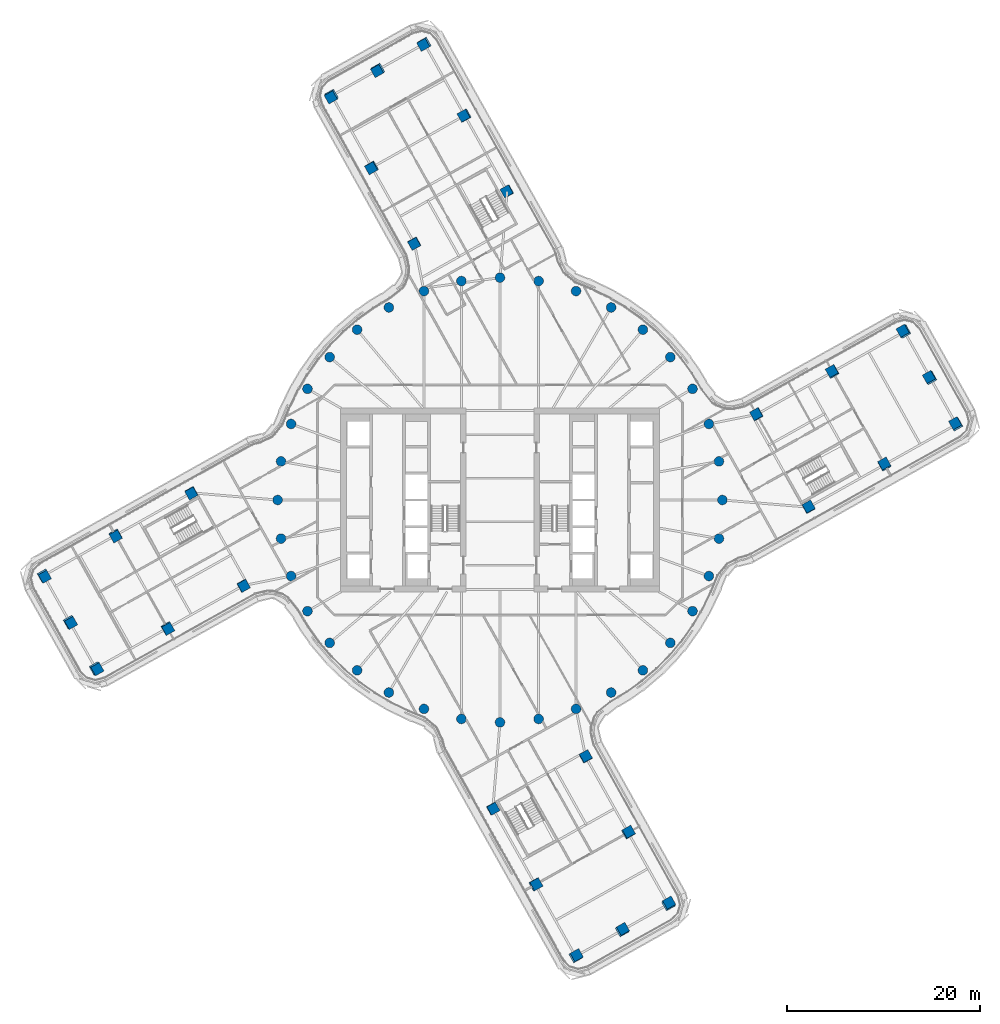
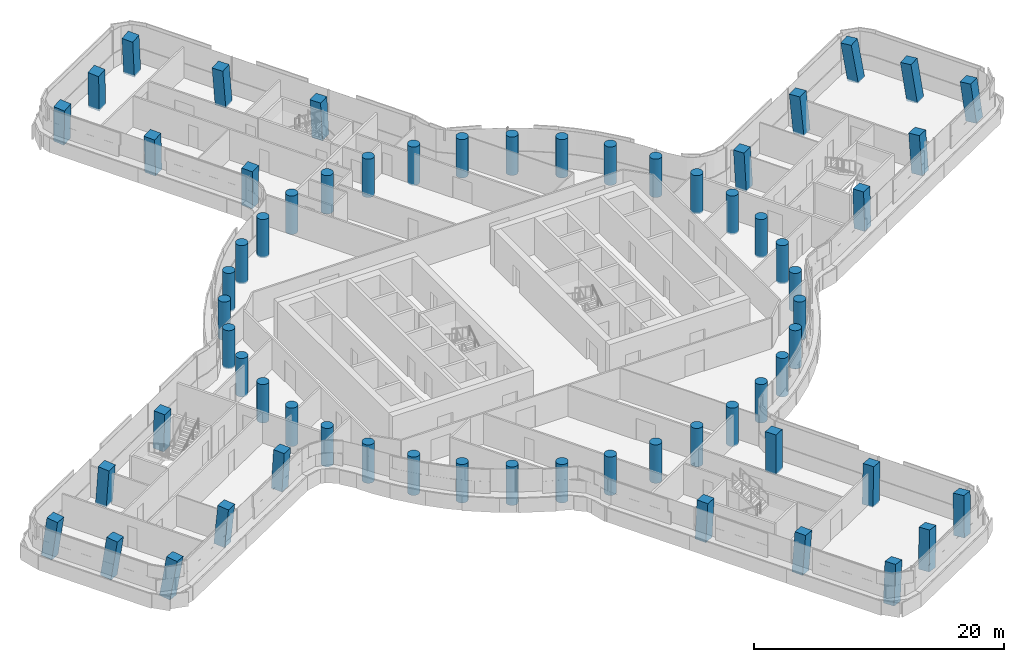
# One storey, part 1 of 34: 64 columns.
"""IFC4 building model written with IfcOpenShell, lengths in metres."""

from ifc_helpers import new_model, si_unit, direction, frame, origin, origin_2d, place, context, subcontext, project, spatial, rectangle, circle, extrude, material, material_profile, profile_set, type_object, element, save


model = new_model("IFC4")

# Units and contexts
model_context = context("Model", 3, precision=1e-05, world=origin(), true_north=direction((0.0, 1.0)))
body_context = subcontext(model_context, "Body", "Model", "MODEL_VIEW")
ifc_project = project(units=[si_unit("LENGTHUNIT", "METRE"), si_unit("AREAUNIT", "SQUARE_METRE"), si_unit("VOLUMEUNIT", "CUBIC_METRE"), si_unit("PLANEANGLEUNIT", "RADIAN"), si_unit("MASSUNIT", "GRAM", prefix="KILO")], contexts=[model_context])

# Site, building, storey
site_placement = place(None, origin())
site = spatial("IfcSite", under=ifc_project, at=site_placement, CompositionType="ELEMENT")
building_placement = place(site_placement, origin())
building = spatial("IfcBuilding", under=site, at=building_placement, Name="Tamarind Cross Interchange Tower", CompositionType="ELEMENT")
storey_placement = place(building_placement, frame((0.0, 0.0, 140.5)))
storey = spatial("IfcBuildingStorey", under=building, at=storey_placement, Name="L34", CompositionType="ELEMENT", Elevation=140.5)

# Columns
ifc_material = material(Name="Concrete C60", Category="concrete")
ifc_material_profile_1 = material_profile(ifc_material, rectangle(XDim=1.0, YDim=1.0, at=origin_2d()), Name="RC 1000x1000")
ifc_profile_set_1 = profile_set([ifc_material_profile_1], Name="Concrete C60")
column_type_1 = type_object("IfcColumnType", Name="Column RC 1000x1000 Concrete C60", PredefinedType="COLUMN", material=ifc_profile_set_1)
for number, where, z_axis, x_axis, name in (
    (1, (34.40576171875, 13.2529296875, -0.138427734375), (-0.064776890189, 0.059519447197, 0.996123180085), (0.48610938601, -0.869891191728, 0.083588153388), "Column L34-036"),
    (2, (39.78125, 3.656005859375, -0.138427734375), (-0.018498515422, 0.085936962871, 0.996128828686), (-0.872633414353, -0.487690222801, 0.025868334652), "Column L34-037"),
):
    element("IfcColumn", number, at=place(storey_placement, frame(where, z_axis=z_axis, x_axis=x_axis)), inside=storey, type_object=column_type_1, Name=name, PredefinedType="COLUMN", context=body_context, shape_type="SweptSolid", body=[
        extrude(rectangle(XDim=1.0, YDim=1.0, at=origin_2d()), origin(), (0.0, 0.0, 1.0), 3.761474609375),
    ])
for number, where, z_axis, x_axis, name in (
    (3, (26.553466796875, 8.854736328125, -0.138671875), (-0.043209514738, 0.02173490651, 0.998829580897), (0.487666364721, -0.872109852448, 0.040073956407), "Column L34-038"),
    (4, (31.92919921875, -0.742431640625, -0.138671875), (0.003188650486, 0.048285278781, 0.99882849597), (-0.872625550605, -0.487677909897, 0.026361043789), "Column L34-039"),
):
    element("IfcColumn", number, at=place(storey_placement, frame(where, z_axis=z_axis, x_axis=x_axis)), inside=storey, type_object=column_type_1, Name=name, PredefinedType="COLUMN", context=body_context, shape_type="SweptSolid", body=[
        extrude(rectangle(XDim=1.0, YDim=1.0, at=origin_2d()), origin(), (0.0, 0.0, 1.0), 3.751708984375),
    ])
column_1_placement = place(storey_placement, frame((47.20654296875, 7.815673828125, -0.13525390625), z_axis=(-0.088869481868, 0.091909413198, 0.991793766344), x_axis=(0.483034620601, -0.86683202884, 0.12361144396)))
element("IfcColumn", 5, at=column_1_placement, inside=storey, type_object=column_type_1, Name="Column L34-040", PredefinedType="COLUMN", context=body_context, shape_type="SweptSolid", body=[
    extrude(rectangle(XDim=1.0, YDim=1.0, at=origin_2d()), origin(), (0.0, 0.0, 1.0), 3.774658203125),
])
column_2_placement = place(storey_placement, frame((44.518798828125, 12.614013671875, -0.135009765625), z_axis=(-0.111840443728, 0.078695355552, 0.990605247392), x_axis=(0.481716376439, -0.867608111363, 0.123310574436)))
element("IfcColumn", 6, at=column_2_placement, inside=storey, type_object=column_type_1, Name="Column L34-041", PredefinedType="COLUMN", context=body_context, shape_type="SweptSolid", body=[
    extrude(rectangle(XDim=1.0, YDim=1.0, at=origin_2d()), origin(), (0.0, 0.0, 1.0), 3.778564453125),
])
column_3_placement = place(storey_placement, frame((41.830810546875, 17.41259765625, -0.135009765625), z_axis=(-0.134524714665, 0.065392167148, 0.988750203853), x_axis=(0.480274160425, -0.868482195433, 0.122781949179)))
element("IfcColumn", 7, at=column_3_placement, inside=storey, type_object=column_type_1, Name="Column L34-042", PredefinedType="COLUMN", context=body_context, shape_type="SweptSolid", body=[
    extrude(rectangle(XDim=1.0, YDim=1.0, at=origin_2d()), origin(), (0.0, 0.0, 1.0), 3.78564453125),
])
for number, where, z_axis, x_axis, name in (
    (8, (-13.2529296875, 34.40576171875, -0.138427734375), (-0.059519447197, -0.064776890189, 0.996123180085), (0.869891191728, 0.48610938601, 0.083588153388), "Column L34-043"),
    (9, (-3.656005859375, 39.78125, -0.138427734375), (-0.085936962871, -0.018498515422, 0.996128828686), (0.487690222801, -0.872633414353, 0.025868334652), "Column L34-044"),
):
    element("IfcColumn", number, at=place(storey_placement, frame(where, z_axis=z_axis, x_axis=x_axis)), inside=storey, type_object=column_type_1, Name=name, PredefinedType="COLUMN", context=body_context, shape_type="SweptSolid", body=[
        extrude(rectangle(XDim=1.0, YDim=1.0, at=origin_2d()), origin(), (0.0, 0.0, 1.0), 3.761474609375),
    ])
for number, where, z_axis, x_axis, name in (
    (10, (-8.854736328125, 26.553466796875, -0.138671875), (-0.02173490651, -0.043209514738, 0.998829580897), (0.872109852448, 0.487666364721, 0.040073956407), "Column L34-045"),
    (11, (0.742431640625, 31.92919921875, -0.138671875), (-0.048285278781, 0.003188650486, 0.99882849597), (0.487677909897, -0.872625550605, 0.026361043789), "Column L34-046"),
):
    element("IfcColumn", number, at=place(storey_placement, frame(where, z_axis=z_axis, x_axis=x_axis)), inside=storey, type_object=column_type_1, Name=name, PredefinedType="COLUMN", context=body_context, shape_type="SweptSolid", body=[
        extrude(rectangle(XDim=1.0, YDim=1.0, at=origin_2d()), origin(), (0.0, 0.0, 1.0), 3.751708984375),
    ])
column_4_placement = place(storey_placement, frame((-7.815673828125, 47.20654296875, -0.13525390625), z_axis=(-0.091909413198, -0.088869481868, 0.991793766344), x_axis=(0.86683202884, 0.483034620601, 0.12361144396)))
element("IfcColumn", 12, at=column_4_placement, inside=storey, type_object=column_type_1, Name="Column L34-047", PredefinedType="COLUMN", context=body_context, shape_type="SweptSolid", body=[
    extrude(rectangle(XDim=1.0, YDim=1.0, at=origin_2d()), origin(), (0.0, 0.0, 1.0), 3.774658203125),
])
column_5_placement = place(storey_placement, frame((-12.614013671875, 44.518798828125, -0.135009765625), z_axis=(-0.078695355552, -0.111840443728, 0.990605247392), x_axis=(0.867608111363, 0.481716376439, 0.123310574436)))
element("IfcColumn", 13, at=column_5_placement, inside=storey, type_object=column_type_1, Name="Column L34-048", PredefinedType="COLUMN", context=body_context, shape_type="SweptSolid", body=[
    extrude(rectangle(XDim=1.0, YDim=1.0, at=origin_2d()), origin(), (0.0, 0.0, 1.0), 3.778564453125),
])
column_6_placement = place(storey_placement, frame((-17.41259765625, 41.830810546875, -0.135009765625), z_axis=(-0.065392167148, -0.134524714665, 0.988750203853), x_axis=(0.868482195433, 0.480274160425, 0.122781949179)))
element("IfcColumn", 14, at=column_6_placement, inside=storey, type_object=column_type_1, Name="Column L34-049", PredefinedType="COLUMN", context=body_context, shape_type="SweptSolid", body=[
    extrude(rectangle(XDim=1.0, YDim=1.0, at=origin_2d()), origin(), (0.0, 0.0, 1.0), 3.78564453125),
])
for number, where, z_axis, x_axis, name in (
    (15, (-34.40576171875, -13.2529296875, -0.138427734375), (0.064776890189, -0.059519447197, 0.996123180085), (-0.48610938601, 0.869891191728, 0.083588153388), "Column L34-050"),
    (16, (-39.78125, -3.656005859375, -0.138427734375), (0.018498515422, -0.085936962871, 0.996128828686), (0.872633414353, 0.487690222801, 0.025868334652), "Column L34-051"),
):
    element("IfcColumn", number, at=place(storey_placement, frame(where, z_axis=z_axis, x_axis=x_axis)), inside=storey, type_object=column_type_1, Name=name, PredefinedType="COLUMN", context=body_context, shape_type="SweptSolid", body=[
        extrude(rectangle(XDim=1.0, YDim=1.0, at=origin_2d()), origin(), (0.0, 0.0, 1.0), 3.761474609375),
    ])
for number, where, z_axis, x_axis, name in (
    (17, (-26.553466796875, -8.854736328125, -0.138671875), (0.043209514738, -0.02173490651, 0.998829580897), (-0.487666364721, 0.872109852448, 0.040073956407), "Column L34-052"),
    (18, (-31.92919921875, 0.742431640625, -0.138671875), (-0.003188650486, -0.048285278781, 0.99882849597), (0.872625550605, 0.487677909897, 0.026361043789), "Column L34-053"),
):
    element("IfcColumn", number, at=place(storey_placement, frame(where, z_axis=z_axis, x_axis=x_axis)), inside=storey, type_object=column_type_1, Name=name, PredefinedType="COLUMN", context=body_context, shape_type="SweptSolid", body=[
        extrude(rectangle(XDim=1.0, YDim=1.0, at=origin_2d()), origin(), (0.0, 0.0, 1.0), 3.751708984375),
    ])
column_7_placement = place(storey_placement, frame((-47.20654296875, -7.815673828125, -0.13525390625), z_axis=(0.088869481868, -0.091909413198, 0.991793766344), x_axis=(-0.483034620601, 0.86683202884, 0.12361144396)))
element("IfcColumn", 19, at=column_7_placement, inside=storey, type_object=column_type_1, Name="Column L34-054", PredefinedType="COLUMN", context=body_context, shape_type="SweptSolid", body=[
    extrude(rectangle(XDim=1.0, YDim=1.0, at=origin_2d()), origin(), (0.0, 0.0, 1.0), 3.774658203125),
])
column_8_placement = place(storey_placement, frame((-44.518798828125, -12.614013671875, -0.135009765625), z_axis=(0.111840443728, -0.078695355552, 0.990605247392), x_axis=(-0.481716376439, 0.867608111363, 0.123310574436)))
element("IfcColumn", 20, at=column_8_placement, inside=storey, type_object=column_type_1, Name="Column L34-055", PredefinedType="COLUMN", context=body_context, shape_type="SweptSolid", body=[
    extrude(rectangle(XDim=1.0, YDim=1.0, at=origin_2d()), origin(), (0.0, 0.0, 1.0), 3.778564453125),
])
column_9_placement = place(storey_placement, frame((-41.830810546875, -17.41259765625, -0.135009765625), z_axis=(0.134524714665, -0.065392167148, 0.988750203853), x_axis=(-0.480274160425, 0.868482195433, 0.122781949179)))
element("IfcColumn", 21, at=column_9_placement, inside=storey, type_object=column_type_1, Name="Column L34-056", PredefinedType="COLUMN", context=body_context, shape_type="SweptSolid", body=[
    extrude(rectangle(XDim=1.0, YDim=1.0, at=origin_2d()), origin(), (0.0, 0.0, 1.0), 3.78564453125),
])
for number, where, z_axis, x_axis, name in (
    (22, (13.2529296875, -34.40576171875, -0.138427734375), (0.059519447197, 0.064776890189, 0.996123180085), (-0.869891191728, -0.48610938601, 0.083588153388), "Column L34-057"),
    (23, (3.656005859375, -39.78125, -0.138427734375), (0.085936962871, 0.018498515422, 0.996128828686), (-0.487690222801, 0.872633414353, 0.025868334652), "Column L34-058"),
):
    element("IfcColumn", number, at=place(storey_placement, frame(where, z_axis=z_axis, x_axis=x_axis)), inside=storey, type_object=column_type_1, Name=name, PredefinedType="COLUMN", context=body_context, shape_type="SweptSolid", body=[
        extrude(rectangle(XDim=1.0, YDim=1.0, at=origin_2d()), origin(), (0.0, 0.0, 1.0), 3.761474609375),
    ])
for number, where, z_axis, x_axis, name in (
    (24, (8.854736328125, -26.553466796875, -0.138671875), (0.02173490651, 0.043209514738, 0.998829580897), (-0.872109852448, -0.487666364721, 0.040073956407), "Column L34-059"),
    (25, (-0.742431640625, -31.92919921875, -0.138671875), (0.048285278781, -0.003188650486, 0.99882849597), (-0.487677909897, 0.872625550605, 0.026361043789), "Column L34-060"),
):
    element("IfcColumn", number, at=place(storey_placement, frame(where, z_axis=z_axis, x_axis=x_axis)), inside=storey, type_object=column_type_1, Name=name, PredefinedType="COLUMN", context=body_context, shape_type="SweptSolid", body=[
        extrude(rectangle(XDim=1.0, YDim=1.0, at=origin_2d()), origin(), (0.0, 0.0, 1.0), 3.751708984375),
    ])
column_10_placement = place(storey_placement, frame((7.815673828125, -47.20654296875, -0.13525390625), z_axis=(0.091909413198, 0.088869481868, 0.991793766344), x_axis=(-0.86683202884, -0.483034620601, 0.12361144396)))
element("IfcColumn", 26, at=column_10_placement, inside=storey, type_object=column_type_1, Name="Column L34-061", PredefinedType="COLUMN", context=body_context, shape_type="SweptSolid", body=[
    extrude(rectangle(XDim=1.0, YDim=1.0, at=origin_2d()), origin(), (0.0, 0.0, 1.0), 3.774658203125),
])
column_11_placement = place(storey_placement, frame((12.614013671875, -44.518798828125, -0.135009765625), z_axis=(0.078695355552, 0.111840443728, 0.990605247392), x_axis=(-0.867608111363, -0.481716376439, 0.123310574436)))
element("IfcColumn", 27, at=column_11_placement, inside=storey, type_object=column_type_1, Name="Column L34-062", PredefinedType="COLUMN", context=body_context, shape_type="SweptSolid", body=[
    extrude(rectangle(XDim=1.0, YDim=1.0, at=origin_2d()), origin(), (0.0, 0.0, 1.0), 3.778564453125),
])
column_12_placement = place(storey_placement, frame((17.41259765625, -41.830810546875, -0.135009765625), z_axis=(0.065392167148, 0.134524714665, 0.988750203853), x_axis=(-0.868482195433, -0.480274160425, 0.122781949179)))
element("IfcColumn", 28, at=column_12_placement, inside=storey, type_object=column_type_1, Name="Column L34-063", PredefinedType="COLUMN", context=body_context, shape_type="SweptSolid", body=[
    extrude(rectangle(XDim=1.0, YDim=1.0, at=origin_2d()), origin(), (0.0, 0.0, 1.0), 3.78564453125),
])
ifc_material_profile_2 = material_profile(ifc_material, circle(Radius=0.5, at=origin_2d()), Name="RC D1000")
ifc_profile_set_2 = profile_set([ifc_material_profile_2], Name="Concrete C60")
column_type_2 = type_object("IfcColumnType", Name="Column RC D1000 Concrete C60", PredefinedType="COLUMN", material=ifc_profile_set_2)
for number, where, z_axis, x_axis, name in (
    (29, (23.0, 0.0, -0.139892578125), (0.0, 0.0, 1.0), (1.0, 0.0, 0.0), "Column L34-000"),
    (30, (22.650634765625, 3.993896484375, -0.139892578125), (0.0, 0.0, 1.0), (1.0, 0.0, 0.0), "Column L34-001"),
    (31, (21.613037109375, 7.866455078125, -0.139892578125), (0.0, 0.0, 1.0), (1.0, 0.0, 0.0), "Column L34-002"),
    (32, (19.918701171875, 11.5, -0.139892578125), (0.0, 0.0, 1.0), (1.0, 0.0, 0.0), "Column L34-003"),
    (33, (17.619140625, 14.7841796875, -0.139892578125), (0.0, 0.0, 1.0), (1.0, 0.0, 0.0), "Column L34-004"),
    (34, (14.7841796875, 17.619140625, -0.139892578125), (0.0, 0.0, 1.0), (1.0, 0.0, 0.0), "Column L34-005"),
    (35, (11.5, 19.918701171875, -0.139892578125), (0.0, 0.0, 1.0), (1.0, 0.0, 0.0), "Column L34-006"),
    (36, (7.866455078125, 21.613037109375, -0.139892578125), (0.0, 0.0, 1.0), (1.0, 0.0, 0.0), "Column L34-007"),
    (37, (3.993896484375, 22.650634765625, -0.139892578125), (0.0, 0.0, 1.0), (1.0, 0.0, 0.0), "Column L34-008"),
    (38, (0.0, 23.0, -0.139892578125), (0.0, 0.0, 1.0), (1.0, 0.0, 0.0), "Column L34-009"),
    (39, (-3.993896484375, 22.650634765625, -0.139892578125), (0.0, 0.0, 1.0), (1.0, 0.0, 0.0), "Column L34-010"),
    (40, (-7.866455078125, 21.613037109375, -0.139892578125), (0.0, 0.0, 1.0), (1.0, 0.0, 0.0), "Column L34-011"),
    (41, (-11.5, 19.918701171875, -0.139892578125), (0.0, 0.0, 1.0), (1.0, 0.0, 0.0), "Column L34-012"),
    (42, (-14.7841796875, 17.619140625, -0.139892578125), (0.0, 0.0, 1.0), (1.0, 0.0, 0.0), "Column L34-013"),
    (43, (-17.619140625, 14.7841796875, -0.139892578125), (0.0, 0.0, 1.0), (1.0, 0.0, 0.0), "Column L34-014"),
    (44, (-19.918701171875, 11.5, -0.139892578125), (0.0, 0.0, 1.0), (1.0, 0.0, 0.0), "Column L34-015"),
    (45, (-21.613037109375, 7.866455078125, -0.139892578125), (0.0, 0.0, 1.0), (1.0, 0.0, 0.0), "Column L34-016"),
    (46, (-22.650634765625, 3.993896484375, -0.139892578125), (0.0, 0.0, 1.0), (1.0, 0.0, 0.0), "Column L34-017"),
    (47, (-23.0, 0.0, -0.139892578125), (0.0, 0.0, 1.0), (1.0, 0.0, 0.0), "Column L34-018"),
    (48, (-22.650634765625, -3.993896484375, -0.139892578125), (0.0, 0.0, 1.0), (1.0, 0.0, 0.0), "Column L34-019"),
    (49, (-21.613037109375, -7.866455078125, -0.139892578125), (0.0, 0.0, 1.0), (1.0, 0.0, 0.0), "Column L34-020"),
    (50, (-19.918701171875, -11.5, -0.139892578125), (0.0, 0.0, 1.0), (1.0, 0.0, 0.0), "Column L34-021"),
    (51, (-17.619140625, -14.7841796875, -0.139892578125), (0.0, 0.0, 1.0), (1.0, 0.0, 0.0), "Column L34-022"),
    (52, (-14.7841796875, -17.619140625, -0.139892578125), (0.0, 0.0, 1.0), (1.0, 0.0, 0.0), "Column L34-023"),
    (53, (-11.5, -19.918701171875, -0.139892578125), (0.0, 0.0, 1.0), (1.0, 0.0, 0.0), "Column L34-024"),
    (54, (-7.866455078125, -21.613037109375, -0.139892578125), (0.0, 0.0, 1.0), (1.0, 0.0, 0.0), "Column L34-025"),
    (55, (-3.993896484375, -22.650634765625, -0.139892578125), (0.0, 0.0, 1.0), (1.0, 0.0, 0.0), "Column L34-026"),
    (56, (0.0, -23.0, -0.139892578125), (0.0, 0.0, 1.0), (1.0, 0.0, 0.0), "Column L34-027"),
    (57, (3.993896484375, -22.650634765625, -0.139892578125), (0.0, 0.0, 1.0), (1.0, 0.0, 0.0), "Column L34-028"),
    (58, (7.866455078125, -21.613037109375, -0.139892578125), (0.0, 0.0, 1.0), (1.0, 0.0, 0.0), "Column L34-029"),
    (59, (11.5, -19.918701171875, -0.139892578125), (0.0, 0.0, 1.0), (1.0, 0.0, 0.0), "Column L34-030"),
    (60, (14.7841796875, -17.619140625, -0.139892578125), (0.0, 0.0, 1.0), (1.0, 0.0, 0.0), "Column L34-031"),
    (61, (17.619140625, -14.7841796875, -0.139892578125), (0.0, 0.0, 1.0), (1.0, 0.0, 0.0), "Column L34-032"),
    (62, (19.918701171875, -11.5, -0.139892578125), (0.0, 0.0, 1.0), (1.0, 0.0, 0.0), "Column L34-033"),
    (63, (21.613037109375, -7.866455078125, -0.139892578125), (0.0, 0.0, 1.0), (1.0, 0.0, 0.0), "Column L34-034"),
    (64, (22.650634765625, -3.993896484375, -0.139892578125), (0.0, 0.0, 1.0), (1.0, 0.0, 0.0), "Column L34-035"),
):
    element("IfcColumn", number, at=place(storey_placement, frame(where, z_axis=z_axis, x_axis=x_axis)), inside=storey, type_object=column_type_2, Name=name, PredefinedType="COLUMN", context=body_context, shape_type="SweptSolid", body=[
        extrude(circle(Radius=0.5, at=origin_2d()), origin(), (0.0, 0.0, 1.0), 3.75),
    ])

save(model, "model.ifc")
